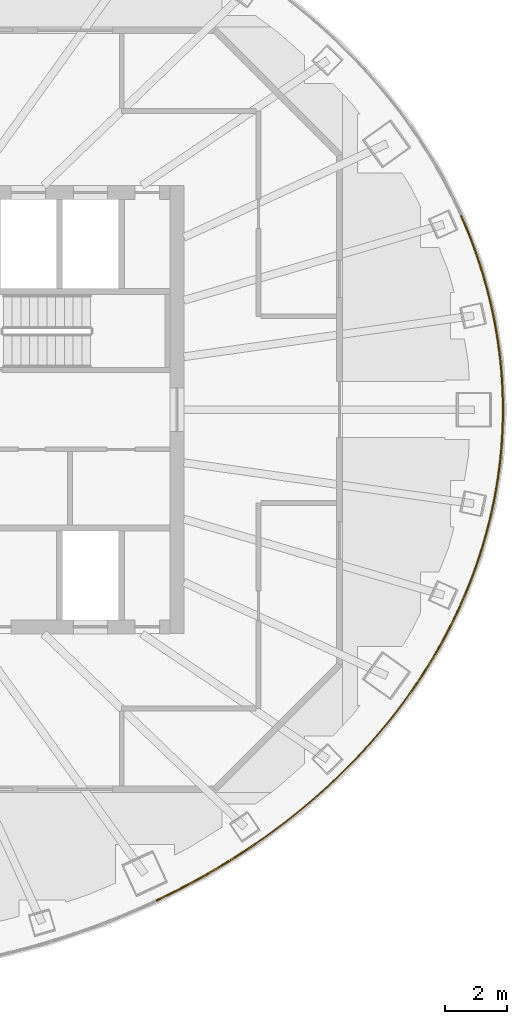
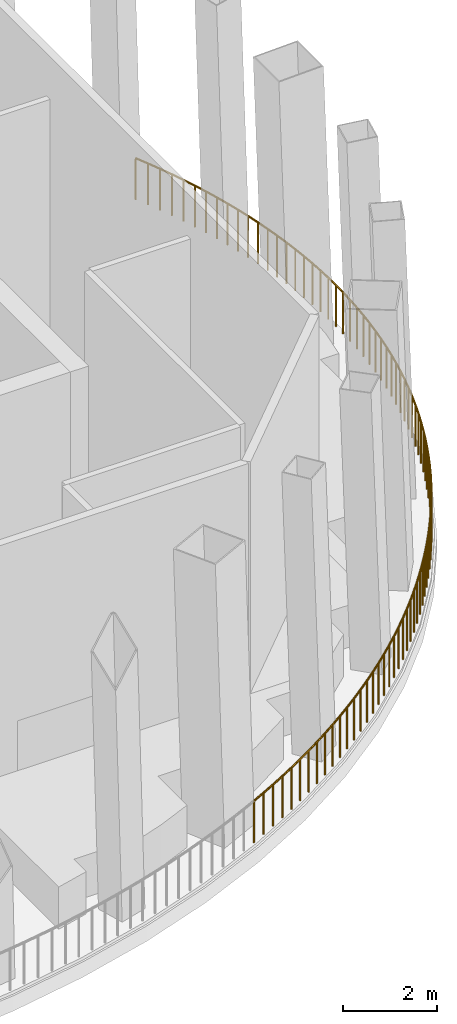
# One storey, part 10 of 12: 8 railings.
"""IFC4 building model written with IfcOpenShell, lengths in metres."""

import ifcopenshell
import ifcopenshell.guid

model = None  # the IFC model being written
_history = None  # IfcOwnerHistory: only IFC2X3 demands one
_inside = {}  # id of a spatial element -> (the spatial element, [elements in it])
_under = {}  # id of a project, library or spatial element -> (it, [spatial elements below it])
_declared = {}  # id of a project -> (the project, [libraries it declares])
_typed = {}  # id of a type object -> (the type object, [elements of that type])
_made_of = {}  # id of a material, layer set ... -> (it, [elements and type objects made of it])


def new_model(schema):
    """Start an empty IFC model of exactly this schema.

    Asked for "IFC4X3", IfcOpenShell would pick the latest addendum, in which some entities
    have other attributes; the version numbers below select the first issue.
    IFC2X3 requires an IfcOwnerHistory on every rooted entity: one is made here for all.
    """
    global model, _history
    if schema == "IFC4X3":
        model = ifcopenshell.file(schema_version=(4, 3, 0, 0))
    else:
        model = ifcopenshell.file(schema=schema)
    _inside.clear()
    _under.clear()
    _declared.clear()
    _typed.clear()
    _made_of.clear()
    _history = None
    if model.schema == "IFC2X3":
        org = make("IfcOrganization", Name="unknown")
        user = make(
            "IfcPersonAndOrganization",
            ThePerson=make("IfcPerson", FamilyName="unknown"),
            TheOrganization=org,
        )
        app = make(
            "IfcApplication",
            ApplicationDeveloper=org,
            Version="unknown",
            ApplicationFullName="unknown",
            ApplicationIdentifier="unknown",
        )
        _history = make(
            "IfcOwnerHistory",
            OwningUser=user,
            OwningApplication=app,
            ChangeAction="ADDED",
            CreationDate=0,
        )
    return model


def make(cls, **values):
    """One entity of the class cls with the attributes given. An attribute that is None is left unset."""
    return model.create_entity(
        cls, **{name: value for name, value in values.items() if value is not None}
    )


def rooted(cls, **values):
    """An entity with a GlobalId (a new one), such as an element, a storey or a relation."""
    return make(cls, GlobalId=ifcopenshell.guid.new(), OwnerHistory=_history, **values)


def si_unit(unit_type, name, prefix=None):
    """IfcSIUnit, for example si_unit("LENGTHUNIT", "METRE", prefix="MILLI")."""
    return make("IfcSIUnit", UnitType=unit_type, Prefix=prefix, Name=name)


def assignment(units):
    """IfcUnitAssignment: the units of a project."""
    return None if units is None else make("IfcUnitAssignment", Units=units)


def point(xyz):
    """IfcCartesianPoint."""
    return None if xyz is None else make("IfcCartesianPoint", Coordinates=xyz)


def direction(xyz):
    """IfcDirection."""
    return None if xyz is None else make("IfcDirection", DirectionRatios=xyz)


def frame(location, z_axis=None, x_axis=None):
    """IfcAxis2Placement3D, a coordinate frame: its origin and axes. An axis left out is left unset."""
    return make(
        "IfcAxis2Placement3D",
        Location=point(location),
        Axis=direction(z_axis),
        RefDirection=direction(x_axis),
    )


def frame_2d(location, x_axis=None):
    """IfcAxis2Placement2D, a coordinate frame in the plane: its origin and x axis."""
    return make(
        "IfcAxis2Placement2D", Location=point(location), RefDirection=direction(x_axis)
    )


def origin():
    """The frame at (0, 0, 0) with its axes left unset."""
    return frame((0.0, 0.0, 0.0))


def origin_2d():
    """The frame at (0, 0) in the plane with its x axis left unset."""
    return frame_2d((0.0, 0.0))


def place(relative_to, where):
    """IfcLocalPlacement: puts the frame where relative to a parent placement (None: the world)."""
    return make(
        "IfcLocalPlacement", PlacementRelTo=relative_to, RelativePlacement=where
    )


def context(
    kind, dimensions, precision=None, world=None, true_north=None, identifier=None
):
    """IfcGeometricRepresentationContext, for example the 3D "Model" context."""
    return make(
        "IfcGeometricRepresentationContext",
        ContextIdentifier=identifier,
        ContextType=kind,
        CoordinateSpaceDimension=dimensions,
        Precision=precision,
        WorldCoordinateSystem=world,
        TrueNorth=true_north,
    )


def subcontext(parent, identifier, kind, view, scale=None):
    """IfcGeometricRepresentationSubContext, for example "Body" below "Model"."""
    return make(
        "IfcGeometricRepresentationSubContext",
        ContextIdentifier=identifier,
        ContextType=kind,
        ParentContext=parent,
        TargetScale=scale,
        TargetView=view,
    )


def project(units=None, contexts=None):
    """IfcProject with its units and contexts."""
    return rooted(
        "IfcProject",
        Name="project",
        RepresentationContexts=contexts,
        UnitsInContext=assignment(units),
    )


def spatial(cls, under=None, at=None, **own):
    """A site, building, storey or space (cls), placed at a placement, below another one or the project."""
    s = rooted(cls, ObjectPlacement=at, **own)
    if under is not None:
        _under.setdefault(under.id(), (under, []))[1].append(s)
    return s


def profile(cls, at=None, kind="AREA", **sizes):
    """A parametric profile (cls). Its sizes go by their IFC names, for example OverallWidth=200.0."""
    return make(cls, ProfileType=kind, Position=at, **sizes)


def circle(**sizes):
    """IfcCircleProfileDef."""
    return profile("IfcCircleProfileDef", **sizes)


def extrude(swept, where, along, depth):
    """IfcExtrudedAreaSolid: the profile swept, set in the frame where, extruded along a direction by depth."""
    return make(
        "IfcExtrudedAreaSolid",
        SweptArea=swept,
        Position=where,
        ExtrudedDirection=direction(along),
        Depth=depth,
    )


def shape(context_of_items, identifier, shape_type, items):
    """IfcShapeRepresentation: the items that make up one representation, for example the "Body"."""
    return make(
        "IfcShapeRepresentation",
        ContextOfItems=context_of_items,
        RepresentationIdentifier=identifier,
        RepresentationType=shape_type,
        Items=items,
    )


def material(Name=None, Category=None):
    """IfcMaterial."""
    return make("IfcMaterial", Name=Name, Category=Category)


def made_of(thing, what):
    """Note that an element or type object is made of a material, layer set ...; save() writes the relation."""
    if what is not None:
        _made_of.setdefault(what.id(), (what, []))[1].append(thing)
    return thing


def type_object(cls, material=None, **own):
    """A type object (cls), such as IfcWallType, which elements share."""
    return made_of(rooted(cls, **own), material)


def element(
    cls,
    number,
    at=None,
    inside=None,
    cuts=None,
    type_object=None,
    material=None,
    context=None,
    identifier="Body",
    shape_type=None,
    held_by="IfcProductDefinitionShape",
    body=None,
    shapes=None,
    **own,
):
    """One element of the class cls, such as IfcWall. Its Tag is "e" and its number.

    at: its placement. inside: the storey or other place that contains it. cuts: it is an
    opening in that element (IfcRelVoidsElement). A single representation is given by context,
    identifier, shape_type and body (its items); several are given by shapes. held_by: the class
    of the entity that holds the representations. save() writes the other relations.
    """
    e = rooted(cls, Tag="e%d" % number, ObjectPlacement=at, **own)
    if body is not None:
        shapes = [shape(context, identifier, shape_type, body)]
    if shapes is not None:
        e.Representation = make(held_by, Representations=shapes)
    if inside is not None:
        _inside.setdefault(inside.id(), (inside, []))[1].append(e)
    if cuts is not None:
        rooted(
            "IfcRelVoidsElement", RelatingBuildingElement=cuts, RelatedOpeningElement=e
        )
    if type_object is not None:
        _typed.setdefault(type_object.id(), (type_object, []))[1].append(e)
    return made_of(e, material)


def aggregate(whole, parts):
    """IfcRelAggregates: a whole, such as a stair, and the parts it consists of."""
    return rooted("IfcRelAggregates", RelatingObject=whole, RelatedObjects=parts)


def save(model, path):
    """Write the relations noted so far, then the file.

    IfcRelAggregates (storeys below a building ...), IfcRelContainedInSpatialStructure (elements
    in a storey), IfcRelDefinesByType, IfcRelAssociatesMaterial and IfcRelDeclares: one each for
    every whole, place, type object, material and project.
    """
    for whole, parts in _under.values():
        aggregate(whole, parts)
    for where, things in _inside.values():
        rooted(
            "IfcRelContainedInSpatialStructure",
            RelatedElements=things,
            RelatingStructure=where,
        )
    for kind, things in _typed.values():
        rooted("IfcRelDefinesByType", RelatedObjects=things, RelatingType=kind)
    for what, things in _made_of.values():
        rooted("IfcRelAssociatesMaterial", RelatedObjects=things, RelatingMaterial=what)
    for by, libraries in _declared.values():
        rooted("IfcRelDeclares", RelatingContext=by, RelatedDefinitions=libraries)
    model.write(path)


model = new_model("IFC4")

# Units and contexts
model_context = context("Model", 3, precision=1e-05, world=origin(), true_north=direction((0.0, 1.0)))
body_context = subcontext(model_context, "Body", "Model", "MODEL_VIEW")
ifc_project = project(units=[si_unit("LENGTHUNIT", "METRE"), si_unit("AREAUNIT", "SQUARE_METRE"), si_unit("VOLUMEUNIT", "CUBIC_METRE"), si_unit("PLANEANGLEUNIT", "RADIAN"), si_unit("MASSUNIT", "GRAM", prefix="KILO")], contexts=[model_context])

# Site, building, storey
site_placement = place(None, origin())
site = spatial("IfcSite", under=ifc_project, at=site_placement, CompositionType="ELEMENT")
building_placement = place(site_placement, origin())
building = spatial("IfcBuilding", under=site, at=building_placement, Name="Siaravel Broadcast Tower", CompositionType="ELEMENT")
storey_placement = place(building_placement, frame((0.0, 0.0, 205.199951171875)))
storey = spatial("IfcBuildingStorey", under=building, at=storey_placement, Name="L50", CompositionType="ELEMENT", Elevation=205.199951171875)

# Railings
ifc_material = material(Name="Steel S355", Category="steel")
railing_type = type_object("IfcRailingType", Name="Guard 1100", PredefinedType="GUARDRAIL", material=ifc_material)
railing_1_placement = place(storey_placement, frame((22.256103515625, 0.0, 0.080078125)))
element("IfcRailing", 1, at=railing_1_placement, inside=storey, type_object=railing_type, Name="L50 sky garden guard 01", PredefinedType="GUARDRAIL", context=body_context, shape_type="SweptSolid", body=[
    extrude(circle(Radius=0.02392578125, at=origin_2d()), frame((0.0, 0.0, 1.076171875), z_axis=(-0.010752067, 0.999942195, 0.0), x_axis=(-0.999942195, -0.010752067, 0.0)), (0.0, 0.0, 1.0), 0.31787109375),
    extrude(circle(Radius=0.02392578125, at=origin_2d()), frame((-0.00341796875, 0.31787109375, 1.076171875), z_axis=(-0.03226605, 0.999479315, 0.0), x_axis=(-0.999479315, -0.03226605, 0.0)), (0.0, 0.0, 1.0), 0.31787109375),
    extrude(circle(Radius=0.02392578125, at=origin_2d()), frame((-0.013671875, 0.635498046875, 1.076171875), z_axis=(-0.053002318, 0.998594389, 0.0), x_axis=(-0.998594389, -0.053002318, 0.0)), (0.0, 0.0, 1.0), 0.31787109375),
    extrude(circle(Radius=0.02392578125, at=origin_2d()), frame((-0.030517578125, 0.952880859375, 1.076171875), z_axis=(-0.074408539, 0.997227842, 0.0), x_axis=(-0.997227842, -0.074408539, 0.0)), (0.0, 0.0, 1.0), 0.318359375),
    extrude(circle(Radius=0.02392578125, at=origin_2d()), frame((-0.05419921875, 1.270263671875, 1.076171875), z_axis=(-0.095931757, 0.995387913, 0.0), x_axis=(-0.995387913, -0.095931757, 0.0)), (0.0, 0.0, 1.0), 0.318115234375),
    extrude(circle(Radius=0.02392578125, at=origin_2d()), frame((-0.084716796875, 1.5869140625, 1.076171875), z_axis=(-0.116485527, 0.993192389, 0.0), x_axis=(-0.993192389, -0.116485527, 0.0)), (0.0, 0.0, 1.0), 0.318603515625),
    extrude(circle(Radius=0.02392578125, at=origin_2d()), frame((-0.121826171875, 1.9033203125, 1.076171875), z_axis=(-0.13863282, 0.99034385, 0.0), x_axis=(-0.99034385, -0.13863282, 0.0)), (0.0, 0.0, 1.0), 0.31884765625),
    extrude(circle(Radius=0.02392578125, at=origin_2d()), frame((-0.166015625, 2.218994140625, 1.076171875), z_axis=(-0.158318615, 0.987388078, 0.0), x_axis=(-0.987388078, -0.158318615, 0.0)), (0.0, 0.0, 1.0), 0.319091796875),
    extrude(circle(Radius=0.02392578125, at=origin_2d()), frame((-0.216552734375, 2.5341796875, 1.076171875), z_axis=(-0.179625291, 0.983735104, 0.0), x_axis=(-0.983735104, -0.179625291, 0.0)), (0.0, 0.0, 1.0), 0.3193359375),
    extrude(circle(Radius=0.02392578125, at=origin_2d()), frame((-0.27392578125, 2.848388671875, 1.076171875), z_axis=(-0.200662533, 0.979660425, 0.0), x_axis=(-0.979660425, -0.200662533, 0.0)), (0.0, 0.0, 1.0), 0.320068359375),
    extrude(circle(Radius=0.02099609375, at=origin_2d()), origin(), (0.0, 0.0, 1.0), 1.052001953125),
    extrude(circle(Radius=0.02099609375, at=origin_2d()), frame((-0.00341796875, 0.31787109375, 0.0)), (0.0, 0.0, 1.0), 1.052001953125),
    extrude(circle(Radius=0.02099609375, at=origin_2d()), frame((-0.013671875, 0.635498046875, 0.0)), (0.0, 0.0, 1.0), 1.052001953125),
    extrude(circle(Radius=0.02099609375, at=origin_2d()), frame((-0.030517578125, 0.952880859375, 0.0)), (0.0, 0.0, 1.0), 1.052001953125),
    extrude(circle(Radius=0.02099609375, at=origin_2d()), frame((-0.05419921875, 1.270263671875, 0.0)), (0.0, 0.0, 1.0), 1.052001953125),
    extrude(circle(Radius=0.02099609375, at=origin_2d()), frame((-0.084716796875, 1.5869140625, 0.0)), (0.0, 0.0, 1.0), 1.052001953125),
    extrude(circle(Radius=0.02099609375, at=origin_2d()), frame((-0.121826171875, 1.9033203125, 0.0)), (0.0, 0.0, 1.0), 1.052001953125),
    extrude(circle(Radius=0.02099609375, at=origin_2d()), frame((-0.166015625, 2.218994140625, 0.0)), (0.0, 0.0, 1.0), 1.052001953125),
    extrude(circle(Radius=0.02099609375, at=origin_2d()), frame((-0.216552734375, 2.5341796875, 0.0)), (0.0, 0.0, 1.0), 1.052001953125),
    extrude(circle(Radius=0.02099609375, at=origin_2d()), frame((-0.27392578125, 2.848388671875, 0.0)), (0.0, 0.0, 1.0), 1.052001953125),
    extrude(circle(Radius=0.02099609375, at=origin_2d()), frame((-0.338134765625, 3.161865234375, 0.0)), (0.0, 0.0, 1.0), 1.052001953125),
])
railing_2_placement = place(storey_placement, frame((21.91796875, 3.161865234375, 0.080078125)))
element("IfcRailing", 2, at=railing_2_placement, inside=storey, type_object=railing_type, Name="L50 sky garden guard 02", PredefinedType="GUARDRAIL", context=body_context, shape_type="SweptSolid", body=[
    extrude(circle(Radius=0.02392578125, at=origin_2d()), frame((0.0, 0.0, 1.076171875), z_axis=(-0.220962402, 0.975282327, 0.0), x_axis=(-0.975282327, -0.220962402, 0.0)), (0.0, 0.0, 1.0), 0.3203125),
    extrude(circle(Radius=0.02392578125, at=origin_2d()), frame((-0.07080078125, 0.3125, 1.076171875), z_axis=(-0.241103682, 0.970499363, 0.0), x_axis=(-0.970499363, -0.241103682, 0.0)), (0.0, 0.0, 1.0), 0.321044921875),
    extrude(circle(Radius=0.02392578125, at=origin_2d()), frame((-0.148193359375, 0.6240234375, 1.076171875), z_axis=(-0.261444979, 0.965218381, 0.0), x_axis=(-0.965218381, -0.261444979, 0.0)), (0.0, 0.0, 1.0), 0.3212890625),
    extrude(circle(Radius=0.02392578125, at=origin_2d()), frame((-0.232177734375, 0.93408203125, 1.076171875), z_axis=(-0.281920134, 0.959437876, 0.0), x_axis=(-0.959437876, -0.281920134, 0.0)), (0.0, 0.0, 1.0), 0.322265625),
    extrude(circle(Radius=0.02392578125, at=origin_2d()), frame((-0.322998046875, 1.2431640625, 1.076171875), z_axis=(-0.301203806, 0.953559787, 0.0), x_axis=(-0.953559787, -0.301203806, 0.0)), (0.0, 0.0, 1.0), 0.322509765625),
    extrude(circle(Radius=0.02392578125, at=origin_2d()), frame((-0.420166015625, 1.55078125, 1.076171875), z_axis=(-0.321429253, 0.946933596, 0.0), x_axis=(-0.946933596, -0.321429253, 0.0)), (0.0, 0.0, 1.0), 0.323486328125),
    extrude(circle(Radius=0.02392578125, at=origin_2d()), frame((-0.524169921875, 1.857177734375, 1.076171875), z_axis=(-0.339866672, 0.940473628, 0.0), x_axis=(-0.940473628, -0.339866672, 0.0)), (0.0, 0.0, 1.0), 0.323974609375),
    extrude(circle(Radius=0.02392578125, at=origin_2d()), frame((-0.63427734375, 2.161865234375, 1.076171875), z_axis=(-0.360087073, 0.9329187, 0.0), x_axis=(-0.9329187, -0.360087073, 0.0)), (0.0, 0.0, 1.0), 0.32470703125),
    extrude(circle(Radius=0.02392578125, at=origin_2d()), frame((-0.751220703125, 2.46484375, 1.076171875), z_axis=(-0.378106972, 0.925761912, 0.0), x_axis=(-0.925761912, -0.378106972, 0.0)), (0.0, 0.0, 1.0), 0.325439453125),
    extrude(circle(Radius=0.02392578125, at=origin_2d()), frame((-0.874267578125, 2.76611328125, 1.076171875), z_axis=(-0.397523557, 0.917591969, 0.0), x_axis=(-0.917591969, -0.397523557, 0.0)), (0.0, 0.0, 1.0), 0.32666015625),
    extrude(circle(Radius=0.02099609375, at=origin_2d()), origin(), (0.0, 0.0, 1.0), 1.052001953125),
    extrude(circle(Radius=0.02099609375, at=origin_2d()), frame((-0.07080078125, 0.3125, 0.0)), (0.0, 0.0, 1.0), 1.052001953125),
    extrude(circle(Radius=0.02099609375, at=origin_2d()), frame((-0.148193359375, 0.6240234375, 0.0)), (0.0, 0.0, 1.0), 1.052001953125),
    extrude(circle(Radius=0.02099609375, at=origin_2d()), frame((-0.232177734375, 0.93408203125, 0.0)), (0.0, 0.0, 1.0), 1.052001953125),
    extrude(circle(Radius=0.02099609375, at=origin_2d()), frame((-0.322998046875, 1.2431640625, 0.0)), (0.0, 0.0, 1.0), 1.052001953125),
    extrude(circle(Radius=0.02099609375, at=origin_2d()), frame((-0.420166015625, 1.55078125, 0.0)), (0.0, 0.0, 1.0), 1.052001953125),
    extrude(circle(Radius=0.02099609375, at=origin_2d()), frame((-0.524169921875, 1.857177734375, 0.0)), (0.0, 0.0, 1.0), 1.052001953125),
    extrude(circle(Radius=0.02099609375, at=origin_2d()), frame((-0.63427734375, 2.161865234375, 0.0)), (0.0, 0.0, 1.0), 1.052001953125),
    extrude(circle(Radius=0.02099609375, at=origin_2d()), frame((-0.751220703125, 2.46484375, 0.0)), (0.0, 0.0, 1.0), 1.052001953125),
    extrude(circle(Radius=0.02099609375, at=origin_2d()), frame((-0.874267578125, 2.76611328125, 0.0)), (0.0, 0.0, 1.0), 1.052001953125),
    extrude(circle(Radius=0.02099609375, at=origin_2d()), frame((-1.004150390625, 3.06591796875, 0.0)), (0.0, 0.0, 1.0), 1.052001953125),
])
railing_3_placement = place(storey_placement, frame((11.128173828125, -15.76904296875, 0.080078125)))
element("IfcRailing", 3, at=railing_3_placement, inside=storey, type_object=railing_type, Name="L50 sky garden guard 31", PredefinedType="GUARDRAIL", context=body_context, shape_type="SweptSolid", body=[
    extrude(circle(Radius=0.02392578125, at=origin_2d()), frame((0.0, 0.0, 1.076171875), z_axis=(0.90090645, 0.434013326, 0.0), x_axis=(-0.434013326, 0.90090645, 0.0)), (0.0, 0.0, 1.0), 0.371337890625),
    extrude(circle(Radius=0.02392578125, at=origin_2d()), frame((0.33447265625, 0.1611328125, 1.076171875), z_axis=(0.894031544, 0.448004016, 0.0), x_axis=(-0.448004016, 0.894031544, 0.0)), (0.0, 0.0, 1.0), 0.37060546875),
    extrude(circle(Radius=0.02392578125, at=origin_2d()), frame((0.665771484375, 0.3271484375, 1.076171875), z_axis=(0.886631963, 0.462475689, 0.0), x_axis=(-0.462475689, 0.886631963, 0.0)), (0.0, 0.0, 1.0), 0.36962890625),
    extrude(circle(Radius=0.02392578125, at=origin_2d()), frame((0.993408203125, 0.498046875, 1.076171875), z_axis=(0.879511614, 0.475877422, 0.0), x_axis=(-0.475877422, 0.879511614, 0.0)), (0.0, 0.0, 1.0), 0.368408203125),
    extrude(circle(Radius=0.02392578125, at=origin_2d()), frame((1.3173828125, 0.67333984375, 1.076171875), z_axis=(0.871415727, 0.490545238, 0.0), x_axis=(-0.490545238, 0.871415727, 0.0)), (0.0, 0.0, 1.0), 0.3671875),
    extrude(circle(Radius=0.02392578125, at=origin_2d()), frame((1.637451171875, 0.853515625, 1.076171875), z_axis=(0.863899853, 0.503663621, 0.0), x_axis=(-0.503663621, 0.863899853, 0.0)), (0.0, 0.0, 1.0), 0.365966796875),
    extrude(circle(Radius=0.02392578125, at=origin_2d()), frame((1.95361328125, 1.037841796875, 1.076171875), z_axis=(0.855242736, 0.518227616, 0.0), x_axis=(-0.518227616, 0.855242736, 0.0)), (0.0, 0.0, 1.0), 0.364990234375),
    extrude(circle(Radius=0.02392578125, at=origin_2d()), frame((2.265869140625, 1.22705078125, 1.076171875), z_axis=(0.847016493, 0.53156661, 0.0), x_axis=(-0.53156661, 0.847016493, 0.0)), (0.0, 0.0, 1.0), 0.36376953125),
    extrude(circle(Radius=0.02392578125, at=origin_2d()), frame((2.573974609375, 1.42041015625, 1.076171875), z_axis=(0.837905031, 0.545816048, 0.0), x_axis=(-0.545816048, 0.837905031, 0.0)), (0.0, 0.0, 1.0), 0.36279296875),
    extrude(circle(Radius=0.02392578125, at=origin_2d()), frame((2.8779296875, 1.618408203125, 1.076171875), z_axis=(0.829130356, 0.559055322, 0.0), x_axis=(-0.559055322, 0.829130356, 0.0)), (0.0, 0.0, 1.0), 0.361572265625),
    extrude(circle(Radius=0.02099609375, at=origin_2d()), origin(), (0.0, 0.0, 1.0), 1.052001953125),
    extrude(circle(Radius=0.02099609375, at=origin_2d()), frame((0.33447265625, 0.1611328125, 0.0)), (0.0, 0.0, 1.0), 1.052001953125),
    extrude(circle(Radius=0.02099609375, at=origin_2d()), frame((0.665771484375, 0.3271484375, 0.0)), (0.0, 0.0, 1.0), 1.052001953125),
    extrude(circle(Radius=0.02099609375, at=origin_2d()), frame((0.993408203125, 0.498046875, 0.0)), (0.0, 0.0, 1.0), 1.052001953125),
    extrude(circle(Radius=0.02099609375, at=origin_2d()), frame((1.3173828125, 0.67333984375, 0.0)), (0.0, 0.0, 1.0), 1.052001953125),
    extrude(circle(Radius=0.02099609375, at=origin_2d()), frame((1.637451171875, 0.853515625, 0.0)), (0.0, 0.0, 1.0), 1.052001953125),
    extrude(circle(Radius=0.02099609375, at=origin_2d()), frame((1.95361328125, 1.037841796875, 0.0)), (0.0, 0.0, 1.0), 1.052001953125),
    extrude(circle(Radius=0.02099609375, at=origin_2d()), frame((2.265869140625, 1.22705078125, 0.0)), (0.0, 0.0, 1.0), 1.052001953125),
    extrude(circle(Radius=0.02099609375, at=origin_2d()), frame((2.573974609375, 1.42041015625, 0.0)), (0.0, 0.0, 1.0), 1.052001953125),
    extrude(circle(Radius=0.02099609375, at=origin_2d()), frame((2.8779296875, 1.618408203125, 0.0)), (0.0, 0.0, 1.0), 1.052001953125),
    extrude(circle(Radius=0.02099609375, at=origin_2d()), frame((3.177734375, 1.820556640625, 0.0)), (0.0, 0.0, 1.0), 1.052001953125),
])
railing_4_placement = place(storey_placement, frame((14.305908203125, -13.948486328125, 0.080078125)))
element("IfcRailing", 4, at=railing_4_placement, inside=storey, type_object=railing_type, Name="L50 sky garden guard 32", PredefinedType="GUARDRAIL", context=body_context, shape_type="SweptSolid", body=[
    extrude(circle(Radius=0.02392578125, at=origin_2d()), frame((0.0, 0.0, 1.076171875), z_axis=(0.819868065, 0.572552492, 0.0), x_axis=(-0.572552492, 0.819868065, 0.0)), (0.0, 0.0, 1.0), 0.3603515625),
    extrude(circle(Radius=0.02392578125, at=origin_2d()), frame((0.29541015625, 0.206298828125, 1.076171875), z_axis=(0.809763888, 0.586755865, 0.0), x_axis=(-0.586755865, 0.809763888, 0.0)), (0.0, 0.0, 1.0), 0.359130859375),
    extrude(circle(Radius=0.02392578125, at=origin_2d()), frame((0.586181640625, 0.4169921875, 1.076171875), z_axis=(0.800490663, 0.599345224, 0.0), x_axis=(-0.599345224, 0.800490663, 0.0)), (0.0, 0.0, 1.0), 0.358154296875),
    extrude(circle(Radius=0.02392578125, at=origin_2d()), frame((0.872802734375, 0.631591796875, 1.076171875), z_axis=(0.789867917, 0.613276996, 0.0), x_axis=(-0.613276996, 0.789867917, 0.0)), (0.0, 0.0, 1.0), 0.356689453125),
    extrude(circle(Radius=0.02392578125, at=origin_2d()), frame((1.154541015625, 0.850341796875, 1.076171875), z_axis=(0.779257223, 0.626704221, 0.0), x_axis=(-0.626704221, 0.779257223, 0.0)), (0.0, 0.0, 1.0), 0.355224609375),
    extrude(circle(Radius=0.02392578125, at=origin_2d()), frame((1.431396484375, 1.072998046875, 1.076171875), z_axis=(0.768559864, 0.63977788, 0.0), x_axis=(-0.63977788, 0.768559864, 0.0)), (0.0, 0.0, 1.0), 0.3544921875),
    extrude(circle(Radius=0.02392578125, at=origin_2d()), frame((1.703857421875, 1.2998046875, 1.076171875), z_axis=(0.757398166, 0.652953305, 0.0), x_axis=(-0.652953305, 0.757398166, 0.0)), (0.0, 0.0, 1.0), 0.35302734375),
    extrude(circle(Radius=0.02392578125, at=origin_2d()), frame((1.97119140625, 1.5302734375, 1.076171875), z_axis=(0.745876104, 0.666084707, 0.0), x_axis=(-0.666084707, 0.745876104, 0.0)), (0.0, 0.0, 1.0), 0.351806640625),
    extrude(circle(Radius=0.02392578125, at=origin_2d()), frame((2.233642578125, 1.7646484375, 1.076171875), z_axis=(0.73408208, 0.679060748, 0.0), x_axis=(-0.679060748, 0.73408208, 0.0)), (0.0, 0.0, 1.0), 0.3505859375),
    extrude(circle(Radius=0.02392578125, at=origin_2d()), frame((2.490966796875, 2.002685546875, 1.076171875), z_axis=(0.722657035, 0.691206778, 0.0), x_axis=(-0.691206778, 0.722657035, 0.0)), (0.0, 0.0, 1.0), 0.349365234375),
    extrude(circle(Radius=0.02099609375, at=origin_2d()), origin(), (0.0, 0.0, 1.0), 1.052001953125),
    extrude(circle(Radius=0.02099609375, at=origin_2d()), frame((0.29541015625, 0.206298828125, 0.0)), (0.0, 0.0, 1.0), 1.052001953125),
    extrude(circle(Radius=0.02099609375, at=origin_2d()), frame((0.586181640625, 0.4169921875, 0.0)), (0.0, 0.0, 1.0), 1.052001953125),
    extrude(circle(Radius=0.02099609375, at=origin_2d()), frame((0.872802734375, 0.631591796875, 0.0)), (0.0, 0.0, 1.0), 1.052001953125),
    extrude(circle(Radius=0.02099609375, at=origin_2d()), frame((1.154541015625, 0.850341796875, 0.0)), (0.0, 0.0, 1.0), 1.052001953125),
    extrude(circle(Radius=0.02099609375, at=origin_2d()), frame((1.431396484375, 1.072998046875, 0.0)), (0.0, 0.0, 1.0), 1.052001953125),
    extrude(circle(Radius=0.02099609375, at=origin_2d()), frame((1.703857421875, 1.2998046875, 0.0)), (0.0, 0.0, 1.0), 1.052001953125),
    extrude(circle(Radius=0.02099609375, at=origin_2d()), frame((1.97119140625, 1.5302734375, 0.0)), (0.0, 0.0, 1.0), 1.052001953125),
    extrude(circle(Radius=0.02099609375, at=origin_2d()), frame((2.233642578125, 1.7646484375, 0.0)), (0.0, 0.0, 1.0), 1.052001953125),
    extrude(circle(Radius=0.02099609375, at=origin_2d()), frame((2.490966796875, 2.002685546875, 0.0)), (0.0, 0.0, 1.0), 1.052001953125),
    extrude(circle(Radius=0.02099609375, at=origin_2d()), frame((2.743408203125, 2.244140625, 0.0)), (0.0, 0.0, 1.0), 1.052001953125),
])
railing_5_placement = place(storey_placement, frame((17.04931640625, -11.704345703125, 0.080078125)))
element("IfcRailing", 5, at=railing_5_placement, inside=storey, type_object=railing_type, Name="L50 sky garden guard 33", PredefinedType="GUARDRAIL", context=body_context, shape_type="SweptSolid", body=[
    extrude(circle(Radius=0.02392578125, at=origin_2d()), frame((0.0, 0.0, 1.076171875), z_axis=(0.709208125, 0.704999174, 0.0), x_axis=(-0.704999174, 0.709208125, 0.0)), (0.0, 0.0, 1.0), 0.34814453125),
    extrude(circle(Radius=0.02392578125, at=origin_2d()), frame((0.246826171875, 0.245361328125, 1.076171875), z_axis=(0.697188894, 0.716887471, 0.0), x_axis=(-0.716887471, 0.697188894, 0.0)), (0.0, 0.0, 1.0), 0.346923828125),
    extrude(circle(Radius=0.02392578125, at=origin_2d()), frame((0.48876953125, 0.494140625, 1.076171875), z_axis=(0.68412918, 0.729360861, 0.0), x_axis=(-0.729360861, 0.68412918, 0.0)), (0.0, 0.0, 1.0), 0.345458984375),
    extrude(circle(Radius=0.02392578125, at=origin_2d()), frame((0.72509765625, 0.74609375, 1.076171875), z_axis=(0.67080203, 0.741636458, 0.0), x_axis=(-0.741636458, 0.67080203, 0.0)), (0.0, 0.0, 1.0), 0.3447265625),
    extrude(circle(Radius=0.02392578125, at=origin_2d()), frame((0.956298828125, 1.001708984375, 1.076171875), z_axis=(0.65744612, 0.753501559, 0.0), x_axis=(-0.753501559, 0.65744612, 0.0)), (0.0, 0.0, 1.0), 0.343017578125),
    extrude(circle(Radius=0.02392578125, at=origin_2d()), frame((1.181884765625, 1.26025390625, 1.076171875), z_axis=(0.643058171, 0.765817334, 0.0), x_axis=(-0.765817334, 0.643058171, 0.0)), (0.0, 0.0, 1.0), 0.342041015625),
    extrude(circle(Radius=0.02392578125, at=origin_2d()), frame((1.40185546875, 1.522216796875, 1.076171875), z_axis=(0.628703723, 0.777644924, 0.0), x_axis=(-0.777644924, 0.628703723, 0.0)), (0.0, 0.0, 1.0), 0.341064453125),
    extrude(circle(Radius=0.02392578125, at=origin_2d()), frame((1.6162109375, 1.787353515625, 1.076171875), z_axis=(0.614736721, 0.788732378, 0.0), x_axis=(-0.788732378, 0.614736721, 0.0)), (0.0, 0.0, 1.0), 0.339599609375),
    extrude(circle(Radius=0.02392578125, at=origin_2d()), frame((1.824951171875, 2.05517578125, 1.076171875), z_axis=(0.599307435, 0.800518956, 0.0), x_axis=(-0.800518956, 0.599307435, 0.0)), (0.0, 0.0, 1.0), 0.338623046875),
    extrude(circle(Radius=0.02392578125, at=origin_2d()), frame((2.02783203125, 2.326171875, 1.076171875), z_axis=(0.584380934, 0.811479466, 0.0), x_axis=(-0.811479466, 0.584380934, 0.0)), (0.0, 0.0, 1.0), 0.337646484375),
    extrude(circle(Radius=0.02099609375, at=origin_2d()), origin(), (0.0, 0.0, 1.0), 1.052001953125),
    extrude(circle(Radius=0.02099609375, at=origin_2d()), frame((0.246826171875, 0.245361328125, 0.0)), (0.0, 0.0, 1.0), 1.052001953125),
    extrude(circle(Radius=0.02099609375, at=origin_2d()), frame((0.48876953125, 0.494140625, 0.0)), (0.0, 0.0, 1.0), 1.052001953125),
    extrude(circle(Radius=0.02099609375, at=origin_2d()), frame((0.72509765625, 0.74609375, 0.0)), (0.0, 0.0, 1.0), 1.052001953125),
    extrude(circle(Radius=0.02099609375, at=origin_2d()), frame((0.956298828125, 1.001708984375, 0.0)), (0.0, 0.0, 1.0), 1.052001953125),
    extrude(circle(Radius=0.02099609375, at=origin_2d()), frame((1.181884765625, 1.26025390625, 0.0)), (0.0, 0.0, 1.0), 1.052001953125),
    extrude(circle(Radius=0.02099609375, at=origin_2d()), frame((1.40185546875, 1.522216796875, 0.0)), (0.0, 0.0, 1.0), 1.052001953125),
    extrude(circle(Radius=0.02099609375, at=origin_2d()), frame((1.6162109375, 1.787353515625, 0.0)), (0.0, 0.0, 1.0), 1.052001953125),
    extrude(circle(Radius=0.02099609375, at=origin_2d()), frame((1.824951171875, 2.05517578125, 0.0)), (0.0, 0.0, 1.0), 1.052001953125),
    extrude(circle(Radius=0.02099609375, at=origin_2d()), frame((2.02783203125, 2.326171875, 0.0)), (0.0, 0.0, 1.0), 1.052001953125),
    extrude(circle(Radius=0.02099609375, at=origin_2d()), frame((2.22509765625, 2.60009765625, 0.0)), (0.0, 0.0, 1.0), 1.052001953125),
])
railing_6_placement = place(storey_placement, frame((19.2744140625, -9.104248046875, 0.080078125)))
element("IfcRailing", 6, at=railing_6_placement, inside=storey, type_object=railing_type, Name="L50 sky garden guard 34", PredefinedType="GUARDRAIL", context=body_context, shape_type="SweptSolid", body=[
    extrude(circle(Radius=0.02392578125, at=origin_2d()), frame((0.0, 0.0, 1.076171875), z_axis=(0.568530162, 0.822662418, 0.0), x_axis=(-0.822662418, 0.568530162, 0.0)), (0.0, 0.0, 1.0), 0.336181640625),
    extrude(circle(Radius=0.02392578125, at=origin_2d()), frame((0.191162109375, 0.276611328125, 1.076171875), z_axis=(0.552849831, 0.833280904, 0.0), x_axis=(-0.833280904, 0.552849831, 0.0)), (0.0, 0.0, 1.0), 0.335205078125),
    extrude(circle(Radius=0.02392578125, at=origin_2d()), frame((0.37646484375, 0.555908203125, 1.076171875), z_axis=(0.537206502, 0.843450754, 0.0), x_axis=(-0.843450754, 0.537206502, 0.0)), (0.0, 0.0, 1.0), 0.333984375),
    extrude(circle(Radius=0.02392578125, at=origin_2d()), frame((0.555908203125, 0.837646484375, 1.076171875), z_axis=(0.52041193, 0.853915349, 0.0), x_axis=(-0.853915349, 0.52041193, 0.0)), (0.0, 0.0, 1.0), 0.3330078125),
    extrude(circle(Radius=0.02392578125, at=origin_2d()), frame((0.729248046875, 1.1220703125, 1.076171875), z_axis=(0.503642434, 0.863912205, 0.0), x_axis=(-0.863912205, 0.503642434, 0.0)), (0.0, 0.0, 1.0), 0.33203125),
    extrude(circle(Radius=0.02392578125, at=origin_2d()), frame((0.896484375, 1.408935546875, 1.076171875), z_axis=(0.486581595, 0.873635136, 0.0), x_axis=(-0.873635136, 0.486581595, 0.0)), (0.0, 0.0, 1.0), 0.3310546875),
    extrude(circle(Radius=0.02392578125, at=origin_2d()), frame((1.0576171875, 1.6982421875, 1.076171875), z_axis=(0.469281499, 0.883048625, 0.0), x_axis=(-0.883048625, 0.469281499, 0.0)), (0.0, 0.0, 1.0), 0.329833984375),
    extrude(circle(Radius=0.02392578125, at=origin_2d()), frame((1.21240234375, 1.989501953125, 1.076171875), z_axis=(0.451657892, 0.892191206, 0.0), x_axis=(-0.892191206, 0.451657892, 0.0)), (0.0, 0.0, 1.0), 0.3291015625),
    extrude(circle(Radius=0.02392578125, at=origin_2d()), frame((1.361083984375, 2.283203125, 1.076171875), z_axis=(0.433770877, 0.901023211, 0.0), x_axis=(-0.901023211, 0.433770877, 0.0)), (0.0, 0.0, 1.0), 0.328125),
    extrude(circle(Radius=0.02392578125, at=origin_2d()), frame((1.50341796875, 2.578857421875, 1.076171875), z_axis=(0.415601054, 0.90954701, 0.0), x_axis=(-0.90954701, 0.415601054, 0.0)), (0.0, 0.0, 1.0), 0.3271484375),
    extrude(circle(Radius=0.02099609375, at=origin_2d()), origin(), (0.0, 0.0, 1.0), 1.052001953125),
    extrude(circle(Radius=0.02099609375, at=origin_2d()), frame((0.191162109375, 0.276611328125, 0.0)), (0.0, 0.0, 1.0), 1.052001953125),
    extrude(circle(Radius=0.02099609375, at=origin_2d()), frame((0.37646484375, 0.555908203125, 0.0)), (0.0, 0.0, 1.0), 1.052001953125),
    extrude(circle(Radius=0.02099609375, at=origin_2d()), frame((0.555908203125, 0.837646484375, 0.0)), (0.0, 0.0, 1.0), 1.052001953125),
    extrude(circle(Radius=0.02099609375, at=origin_2d()), frame((0.729248046875, 1.1220703125, 0.0)), (0.0, 0.0, 1.0), 1.052001953125),
    extrude(circle(Radius=0.02099609375, at=origin_2d()), frame((0.896484375, 1.408935546875, 0.0)), (0.0, 0.0, 1.0), 1.052001953125),
    extrude(circle(Radius=0.02099609375, at=origin_2d()), frame((1.0576171875, 1.6982421875, 0.0)), (0.0, 0.0, 1.0), 1.052001953125),
    extrude(circle(Radius=0.02099609375, at=origin_2d()), frame((1.21240234375, 1.989501953125, 0.0)), (0.0, 0.0, 1.0), 1.052001953125),
    extrude(circle(Radius=0.02099609375, at=origin_2d()), frame((1.361083984375, 2.283203125, 0.0)), (0.0, 0.0, 1.0), 1.052001953125),
    extrude(circle(Radius=0.02099609375, at=origin_2d()), frame((1.50341796875, 2.578857421875, 0.0)), (0.0, 0.0, 1.0), 1.052001953125),
    extrude(circle(Radius=0.02099609375, at=origin_2d()), frame((1.639404296875, 2.87646484375, 0.0)), (0.0, 0.0, 1.0), 1.052001953125),
])
railing_7_placement = place(storey_placement, frame((20.913818359375, -6.227783203125, 0.080078125)))
element("IfcRailing", 7, at=railing_7_placement, inside=storey, type_object=railing_type, Name="L50 sky garden guard 35", PredefinedType="GUARDRAIL", context=body_context, shape_type="SweptSolid", body=[
    extrude(circle(Radius=0.02392578125, at=origin_2d()), frame((0.0, 0.0, 1.076171875), z_axis=(0.397523557, 0.917591969, 0.0), x_axis=(-0.917591969, 0.397523557, 0.0)), (0.0, 0.0, 1.0), 0.32666015625),
    extrude(circle(Radius=0.02392578125, at=origin_2d()), frame((0.1298828125, 0.2998046875, 1.076171875), z_axis=(0.378106972, 0.925761912, 0.0), x_axis=(-0.925761912, 0.378106972, 0.0)), (0.0, 0.0, 1.0), 0.325439453125),
    extrude(circle(Radius=0.02392578125, at=origin_2d()), frame((0.2529296875, 0.60107421875, 1.076171875), z_axis=(0.360087073, 0.9329187, 0.0), x_axis=(-0.9329187, 0.360087073, 0.0)), (0.0, 0.0, 1.0), 0.32470703125),
    extrude(circle(Radius=0.02392578125, at=origin_2d()), frame((0.369873046875, 0.904052734375, 1.076171875), z_axis=(0.339866672, 0.940473628, 0.0), x_axis=(-0.940473628, 0.339866672, 0.0)), (0.0, 0.0, 1.0), 0.323974609375),
    extrude(circle(Radius=0.02392578125, at=origin_2d()), frame((0.47998046875, 1.208740234375, 1.076171875), z_axis=(0.321429253, 0.946933596, 0.0), x_axis=(-0.946933596, 0.321429253, 0.0)), (0.0, 0.0, 1.0), 0.323486328125),
    extrude(circle(Radius=0.02392578125, at=origin_2d()), frame((0.583984375, 1.51513671875, 1.076171875), z_axis=(0.301203806, 0.953559787, 0.0), x_axis=(-0.953559787, 0.301203806, 0.0)), (0.0, 0.0, 1.0), 0.322509765625),
    extrude(circle(Radius=0.02392578125, at=origin_2d()), frame((0.68115234375, 1.82275390625, 1.076171875), z_axis=(0.281920134, 0.959437876, 0.0), x_axis=(-0.959437876, 0.281920134, 0.0)), (0.0, 0.0, 1.0), 0.322265625),
    extrude(circle(Radius=0.02392578125, at=origin_2d()), frame((0.77197265625, 2.1318359375, 1.076171875), z_axis=(0.261444979, 0.965218381, 0.0), x_axis=(-0.965218381, 0.261444979, 0.0)), (0.0, 0.0, 1.0), 0.3212890625),
    extrude(circle(Radius=0.02392578125, at=origin_2d()), frame((0.85595703125, 2.44189453125, 1.076171875), z_axis=(0.241103682, 0.970499363, 0.0), x_axis=(-0.970499363, 0.241103682, 0.0)), (0.0, 0.0, 1.0), 0.321044921875),
    extrude(circle(Radius=0.02392578125, at=origin_2d()), frame((0.933349609375, 2.75341796875, 1.076171875), z_axis=(0.220962402, 0.975282327, 0.0), x_axis=(-0.975282327, 0.220962402, 0.0)), (0.0, 0.0, 1.0), 0.3203125),
    extrude(circle(Radius=0.02099609375, at=origin_2d()), origin(), (0.0, 0.0, 1.0), 1.052001953125),
    extrude(circle(Radius=0.02099609375, at=origin_2d()), frame((0.1298828125, 0.2998046875, 0.0)), (0.0, 0.0, 1.0), 1.052001953125),
    extrude(circle(Radius=0.02099609375, at=origin_2d()), frame((0.2529296875, 0.60107421875, 0.0)), (0.0, 0.0, 1.0), 1.052001953125),
    extrude(circle(Radius=0.02099609375, at=origin_2d()), frame((0.369873046875, 0.904052734375, 0.0)), (0.0, 0.0, 1.0), 1.052001953125),
    extrude(circle(Radius=0.02099609375, at=origin_2d()), frame((0.47998046875, 1.208740234375, 0.0)), (0.0, 0.0, 1.0), 1.052001953125),
    extrude(circle(Radius=0.02099609375, at=origin_2d()), frame((0.583984375, 1.51513671875, 0.0)), (0.0, 0.0, 1.0), 1.052001953125),
    extrude(circle(Radius=0.02099609375, at=origin_2d()), frame((0.68115234375, 1.82275390625, 0.0)), (0.0, 0.0, 1.0), 1.052001953125),
    extrude(circle(Radius=0.02099609375, at=origin_2d()), frame((0.77197265625, 2.1318359375, 0.0)), (0.0, 0.0, 1.0), 1.052001953125),
    extrude(circle(Radius=0.02099609375, at=origin_2d()), frame((0.85595703125, 2.44189453125, 0.0)), (0.0, 0.0, 1.0), 1.052001953125),
    extrude(circle(Radius=0.02099609375, at=origin_2d()), frame((0.933349609375, 2.75341796875, 0.0)), (0.0, 0.0, 1.0), 1.052001953125),
    extrude(circle(Radius=0.02099609375, at=origin_2d()), frame((1.004150390625, 3.06591796875, 0.0)), (0.0, 0.0, 1.0), 1.052001953125),
])
railing_8_placement = place(storey_placement, frame((21.91796875, -3.161865234375, 0.080078125)))
element("IfcRailing", 8, at=railing_8_placement, inside=storey, type_object=railing_type, Name="L50 sky garden guard 36", PredefinedType="GUARDRAIL", context=body_context, shape_type="SweptSolid", body=[
    extrude(circle(Radius=0.02392578125, at=origin_2d()), frame((0.0, 0.0, 1.076171875), z_axis=(0.200662533, 0.979660425, 0.0), x_axis=(-0.979660425, 0.200662533, 0.0)), (0.0, 0.0, 1.0), 0.320068359375),
    extrude(circle(Radius=0.02392578125, at=origin_2d()), frame((0.064208984375, 0.3134765625, 1.076171875), z_axis=(0.179625291, 0.983735104, 0.0), x_axis=(-0.983735104, 0.179625291, 0.0)), (0.0, 0.0, 1.0), 0.3193359375),
    extrude(circle(Radius=0.02392578125, at=origin_2d()), frame((0.12158203125, 0.627685546875, 1.076171875), z_axis=(0.158318615, 0.987388078, 0.0), x_axis=(-0.987388078, 0.158318615, 0.0)), (0.0, 0.0, 1.0), 0.319091796875),
    extrude(circle(Radius=0.02392578125, at=origin_2d()), frame((0.172119140625, 0.94287109375, 1.076171875), z_axis=(0.13863282, 0.99034385, 0.0), x_axis=(-0.99034385, 0.13863282, 0.0)), (0.0, 0.0, 1.0), 0.31884765625),
    extrude(circle(Radius=0.02392578125, at=origin_2d()), frame((0.21630859375, 1.258544921875, 1.076171875), z_axis=(0.116485527, 0.993192389, 0.0), x_axis=(-0.993192389, 0.116485527, 0.0)), (0.0, 0.0, 1.0), 0.318603515625),
    extrude(circle(Radius=0.02392578125, at=origin_2d()), frame((0.25341796875, 1.574951171875, 1.076171875), z_axis=(0.095931757, 0.995387913, 0.0), x_axis=(-0.995387913, 0.095931757, 0.0)), (0.0, 0.0, 1.0), 0.318115234375),
    extrude(circle(Radius=0.02392578125, at=origin_2d()), frame((0.283935546875, 1.8916015625, 1.076171875), z_axis=(0.074408539, 0.997227842, 0.0), x_axis=(-0.997227842, 0.074408539, 0.0)), (0.0, 0.0, 1.0), 0.318359375),
    extrude(circle(Radius=0.02392578125, at=origin_2d()), frame((0.3076171875, 2.208984375, 1.076171875), z_axis=(0.053002318, 0.998594389, 0.0), x_axis=(-0.998594389, 0.053002318, 0.0)), (0.0, 0.0, 1.0), 0.31787109375),
    extrude(circle(Radius=0.02392578125, at=origin_2d()), frame((0.324462890625, 2.5263671875, 1.076171875), z_axis=(0.03226605, 0.999479315, 0.0), x_axis=(-0.999479315, 0.03226605, 0.0)), (0.0, 0.0, 1.0), 0.31787109375),
    extrude(circle(Radius=0.02392578125, at=origin_2d()), frame((0.334716796875, 2.843994140625, 1.076171875), z_axis=(0.010752067, 0.999942195, 0.0), x_axis=(-0.999942195, 0.010752067, 0.0)), (0.0, 0.0, 1.0), 0.31787109375),
    extrude(circle(Radius=0.02099609375, at=origin_2d()), origin(), (0.0, 0.0, 1.0), 1.052001953125),
    extrude(circle(Radius=0.02099609375, at=origin_2d()), frame((0.064208984375, 0.3134765625, 0.0)), (0.0, 0.0, 1.0), 1.052001953125),
    extrude(circle(Radius=0.02099609375, at=origin_2d()), frame((0.12158203125, 0.627685546875, 0.0)), (0.0, 0.0, 1.0), 1.052001953125),
    extrude(circle(Radius=0.02099609375, at=origin_2d()), frame((0.172119140625, 0.94287109375, 0.0)), (0.0, 0.0, 1.0), 1.052001953125),
    extrude(circle(Radius=0.02099609375, at=origin_2d()), frame((0.21630859375, 1.258544921875, 0.0)), (0.0, 0.0, 1.0), 1.052001953125),
    extrude(circle(Radius=0.02099609375, at=origin_2d()), frame((0.25341796875, 1.574951171875, 0.0)), (0.0, 0.0, 1.0), 1.052001953125),
    extrude(circle(Radius=0.02099609375, at=origin_2d()), frame((0.283935546875, 1.8916015625, 0.0)), (0.0, 0.0, 1.0), 1.052001953125),
    extrude(circle(Radius=0.02099609375, at=origin_2d()), frame((0.3076171875, 2.208984375, 0.0)), (0.0, 0.0, 1.0), 1.052001953125),
    extrude(circle(Radius=0.02099609375, at=origin_2d()), frame((0.324462890625, 2.5263671875, 0.0)), (0.0, 0.0, 1.0), 1.052001953125),
    extrude(circle(Radius=0.02099609375, at=origin_2d()), frame((0.334716796875, 2.843994140625, 0.0)), (0.0, 0.0, 1.0), 1.052001953125),
    extrude(circle(Radius=0.02099609375, at=origin_2d()), frame((0.338134765625, 3.161865234375, 0.0)), (0.0, 0.0, 1.0), 1.052001953125),
])

save(model, "model.ifc")
